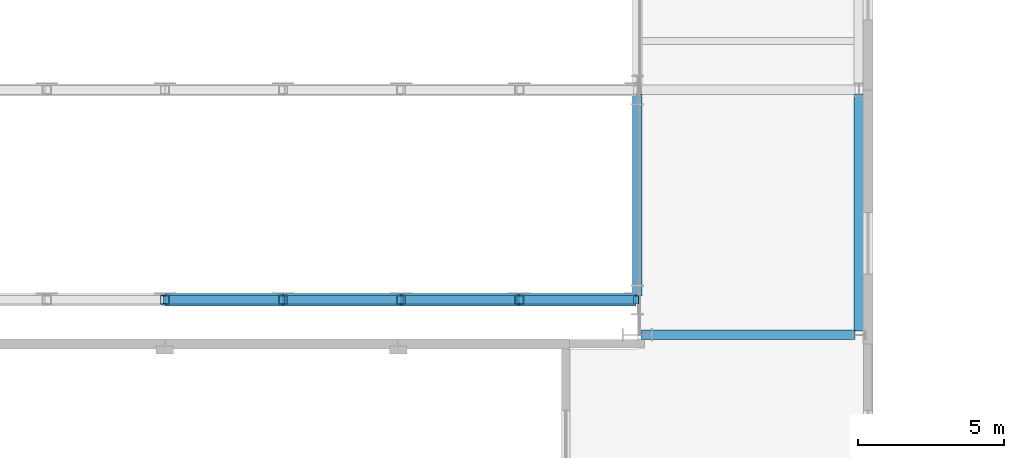
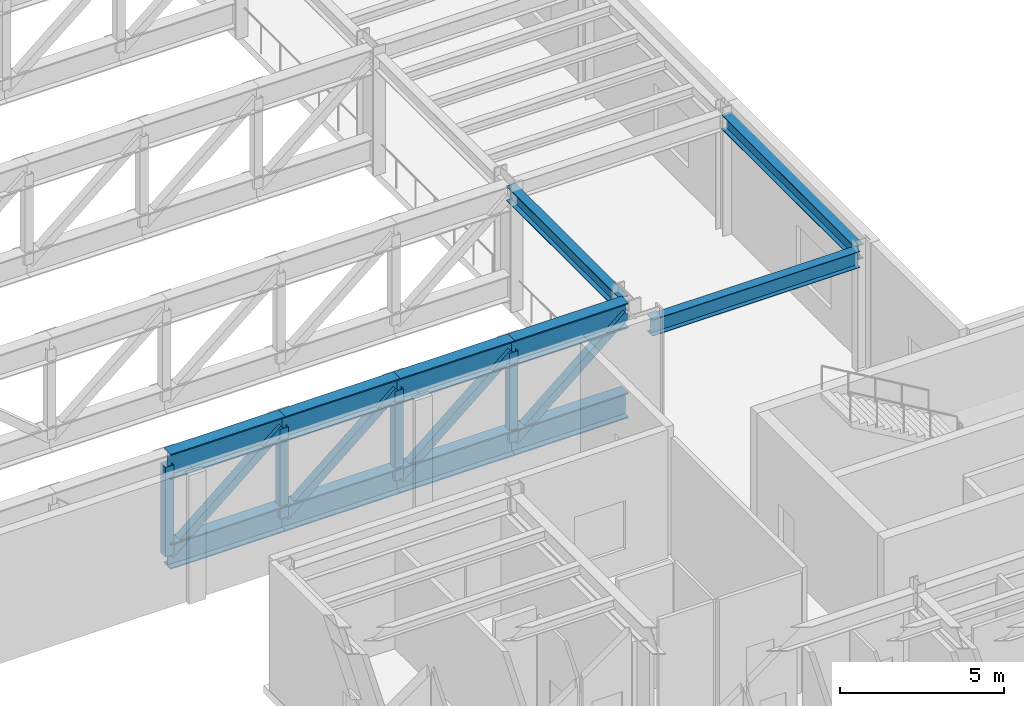
# One storey, part 18 of 91: 11 beams, 8 members.
"""IFC4 building model written with IfcOpenShell, lengths in metres."""

import ifcopenshell
import ifcopenshell.guid

model = None  # the IFC model being written
_history = None  # IfcOwnerHistory: only IFC2X3 demands one
_inside = {}  # id of a spatial element -> (the spatial element, [elements in it])
_under = {}  # id of a project, library or spatial element -> (it, [spatial elements below it])
_declared = {}  # id of a project -> (the project, [libraries it declares])
_typed = {}  # id of a type object -> (the type object, [elements of that type])
_made_of = {}  # id of a material, layer set ... -> (it, [elements and type objects made of it])


def new_model(schema):
    """Start an empty IFC model of exactly this schema.

    Asked for "IFC4X3", IfcOpenShell would pick the latest addendum, in which some entities
    have other attributes; the version numbers below select the first issue.
    IFC2X3 requires an IfcOwnerHistory on every rooted entity: one is made here for all.
    """
    global model, _history
    if schema == "IFC4X3":
        model = ifcopenshell.file(schema_version=(4, 3, 0, 0))
    else:
        model = ifcopenshell.file(schema=schema)
    _inside.clear()
    _under.clear()
    _declared.clear()
    _typed.clear()
    _made_of.clear()
    _history = None
    if model.schema == "IFC2X3":
        org = make("IfcOrganization", Name="unknown")
        user = make(
            "IfcPersonAndOrganization",
            ThePerson=make("IfcPerson", FamilyName="unknown"),
            TheOrganization=org,
        )
        app = make(
            "IfcApplication",
            ApplicationDeveloper=org,
            Version="unknown",
            ApplicationFullName="unknown",
            ApplicationIdentifier="unknown",
        )
        _history = make(
            "IfcOwnerHistory",
            OwningUser=user,
            OwningApplication=app,
            ChangeAction="ADDED",
            CreationDate=0,
        )
    return model


def make(cls, **values):
    """One entity of the class cls with the attributes given. An attribute that is None is left unset."""
    return model.create_entity(
        cls, **{name: value for name, value in values.items() if value is not None}
    )


def rooted(cls, **values):
    """An entity with a GlobalId (a new one), such as an element, a storey or a relation."""
    return make(cls, GlobalId=ifcopenshell.guid.new(), OwnerHistory=_history, **values)


def si_unit(unit_type, name, prefix=None):
    """IfcSIUnit, for example si_unit("LENGTHUNIT", "METRE", prefix="MILLI")."""
    return make("IfcSIUnit", UnitType=unit_type, Prefix=prefix, Name=name)


def assignment(units):
    """IfcUnitAssignment: the units of a project."""
    return None if units is None else make("IfcUnitAssignment", Units=units)


def point(xyz):
    """IfcCartesianPoint."""
    return None if xyz is None else make("IfcCartesianPoint", Coordinates=xyz)


def direction(xyz):
    """IfcDirection."""
    return None if xyz is None else make("IfcDirection", DirectionRatios=xyz)


def frame(location, z_axis=None, x_axis=None):
    """IfcAxis2Placement3D, a coordinate frame: its origin and axes. An axis left out is left unset."""
    return make(
        "IfcAxis2Placement3D",
        Location=point(location),
        Axis=direction(z_axis),
        RefDirection=direction(x_axis),
    )


def frame_2d(location, x_axis=None):
    """IfcAxis2Placement2D, a coordinate frame in the plane: its origin and x axis."""
    return make(
        "IfcAxis2Placement2D", Location=point(location), RefDirection=direction(x_axis)
    )


def origin():
    """The frame at (0, 0, 0) with its axes left unset."""
    return frame((0.0, 0.0, 0.0))


def origin_2d():
    """The frame at (0, 0) in the plane with its x axis left unset."""
    return frame_2d((0.0, 0.0))


def place(relative_to, where):
    """IfcLocalPlacement: puts the frame where relative to a parent placement (None: the world)."""
    return make(
        "IfcLocalPlacement", PlacementRelTo=relative_to, RelativePlacement=where
    )


def context(
    kind, dimensions, precision=None, world=None, true_north=None, identifier=None
):
    """IfcGeometricRepresentationContext, for example the 3D "Model" context."""
    return make(
        "IfcGeometricRepresentationContext",
        ContextIdentifier=identifier,
        ContextType=kind,
        CoordinateSpaceDimension=dimensions,
        Precision=precision,
        WorldCoordinateSystem=world,
        TrueNorth=true_north,
    )


def subcontext(parent, identifier, kind, view, scale=None):
    """IfcGeometricRepresentationSubContext, for example "Body" below "Model"."""
    return make(
        "IfcGeometricRepresentationSubContext",
        ContextIdentifier=identifier,
        ContextType=kind,
        ParentContext=parent,
        TargetScale=scale,
        TargetView=view,
    )


def project(units=None, contexts=None):
    """IfcProject with its units and contexts."""
    return rooted(
        "IfcProject",
        Name="project",
        RepresentationContexts=contexts,
        UnitsInContext=assignment(units),
    )


def spatial(cls, under=None, at=None, **own):
    """A site, building, storey or space (cls), placed at a placement, below another one or the project."""
    s = rooted(cls, ObjectPlacement=at, **own)
    if under is not None:
        _under.setdefault(under.id(), (under, []))[1].append(s)
    return s


def profile(cls, at=None, kind="AREA", **sizes):
    """A parametric profile (cls). Its sizes go by their IFC names, for example OverallWidth=200.0."""
    return make(cls, ProfileType=kind, Position=at, **sizes)


def hollow_rectangle(**sizes):
    """IfcRectangleHollowProfileDef."""
    return profile("IfcRectangleHollowProfileDef", **sizes)


def i_section(**sizes):
    """IfcIShapeProfileDef."""
    return profile("IfcIShapeProfileDef", **sizes)


def extrude(swept, where, along, depth):
    """IfcExtrudedAreaSolid: the profile swept, set in the frame where, extruded along a direction by depth."""
    return make(
        "IfcExtrudedAreaSolid",
        SweptArea=swept,
        Position=where,
        ExtrudedDirection=direction(along),
        Depth=depth,
    )


def shape(context_of_items, identifier, shape_type, items):
    """IfcShapeRepresentation: the items that make up one representation, for example the "Body"."""
    return make(
        "IfcShapeRepresentation",
        ContextOfItems=context_of_items,
        RepresentationIdentifier=identifier,
        RepresentationType=shape_type,
        Items=items,
    )


def material(Name=None, Category=None):
    """IfcMaterial."""
    return make("IfcMaterial", Name=Name, Category=Category)


def material_profile(
    of_material, cross_section, Name=None, Category=None, Priority=None
):
    """IfcMaterialProfile: a cross section and its material."""
    return make(
        "IfcMaterialProfile",
        Name=Name,
        Material=of_material,
        Profile=cross_section,
        Priority=Priority,
        Category=Category,
    )


def profile_set(profiles, Name=None, composite=None):
    """IfcMaterialProfileSet."""
    return make(
        "IfcMaterialProfileSet",
        Name=Name,
        MaterialProfiles=profiles,
        CompositeProfile=composite,
    )


def made_of(thing, what):
    """Note that an element or type object is made of a material, layer set ...; save() writes the relation."""
    if what is not None:
        _made_of.setdefault(what.id(), (what, []))[1].append(thing)
    return thing


def type_object(cls, material=None, **own):
    """A type object (cls), such as IfcWallType, which elements share."""
    return made_of(rooted(cls, **own), material)


def element(
    cls,
    number,
    at=None,
    inside=None,
    cuts=None,
    type_object=None,
    material=None,
    context=None,
    identifier="Body",
    shape_type=None,
    held_by="IfcProductDefinitionShape",
    body=None,
    shapes=None,
    **own,
):
    """One element of the class cls, such as IfcWall. Its Tag is "e" and its number.

    at: its placement. inside: the storey or other place that contains it. cuts: it is an
    opening in that element (IfcRelVoidsElement). A single representation is given by context,
    identifier, shape_type and body (its items); several are given by shapes. held_by: the class
    of the entity that holds the representations. save() writes the other relations.
    """
    e = rooted(cls, Tag="e%d" % number, ObjectPlacement=at, **own)
    if body is not None:
        shapes = [shape(context, identifier, shape_type, body)]
    if shapes is not None:
        e.Representation = make(held_by, Representations=shapes)
    if inside is not None:
        _inside.setdefault(inside.id(), (inside, []))[1].append(e)
    if cuts is not None:
        rooted(
            "IfcRelVoidsElement", RelatingBuildingElement=cuts, RelatedOpeningElement=e
        )
    if type_object is not None:
        _typed.setdefault(type_object.id(), (type_object, []))[1].append(e)
    return made_of(e, material)


def aggregate(whole, parts):
    """IfcRelAggregates: a whole, such as a stair, and the parts it consists of."""
    return rooted("IfcRelAggregates", RelatingObject=whole, RelatedObjects=parts)


def save(model, path):
    """Write the relations noted so far, then the file.

    IfcRelAggregates (storeys below a building ...), IfcRelContainedInSpatialStructure (elements
    in a storey), IfcRelDefinesByType, IfcRelAssociatesMaterial and IfcRelDeclares: one each for
    every whole, place, type object, material and project.
    """
    for whole, parts in _under.values():
        aggregate(whole, parts)
    for where, things in _inside.values():
        rooted(
            "IfcRelContainedInSpatialStructure",
            RelatedElements=things,
            RelatingStructure=where,
        )
    for kind, things in _typed.values():
        rooted("IfcRelDefinesByType", RelatedObjects=things, RelatingType=kind)
    for what, things in _made_of.values():
        rooted("IfcRelAssociatesMaterial", RelatedObjects=things, RelatingMaterial=what)
    for by, libraries in _declared.values():
        rooted("IfcRelDeclares", RelatingContext=by, RelatedDefinitions=libraries)
    model.write(path)


model = new_model("IFC4")

# Units and contexts
model_context = context("Model", 3, precision=1e-05, world=origin(), true_north=direction((0.0, 1.0)))
body_context = subcontext(model_context, "Body", "Model", "MODEL_VIEW")
ifc_project = project(units=[si_unit("LENGTHUNIT", "METRE"), si_unit("AREAUNIT", "SQUARE_METRE"), si_unit("VOLUMEUNIT", "CUBIC_METRE"), si_unit("PLANEANGLEUNIT", "RADIAN"), si_unit("MASSUNIT", "GRAM", prefix="KILO")], contexts=[model_context])

# Site, building, storey
site_placement = place(None, origin())
site = spatial("IfcSite", under=ifc_project, at=site_placement, CompositionType="ELEMENT")
building_placement = place(site_placement, origin())
building = spatial("IfcBuilding", under=site, at=building_placement, Name="Sollismere Congress Hotel", CompositionType="ELEMENT")
storey_placement = place(building_placement, frame((0.0, 0.0, 10.800048828125)))
storey = spatial("IfcBuildingStorey", under=building, at=storey_placement, Name="L02", CompositionType="ELEMENT", Elevation=10.800048828125)

# Beams
ifc_material_1 = material(Name="Steel ASTM A992 Grade 50", Category="steel")
ifc_material_profile_1 = material_profile(ifc_material_1, i_section(OverallWidth=0.31494140625, OverallDepth=0.551025390625, WebThickness=0.01513671875, FlangeThickness=0.0244140625, at=origin_2d()), Name="W21X122")
ifc_profile_set_1 = profile_set([ifc_material_profile_1], Name="Steel ASTM A992 Grade 50")
beam_type_1 = type_object("IfcBeamType", Name="BM-G21H", PredefinedType="BEAM", material=ifc_profile_set_1)
beam_1_placement = place(storey_placement, frame((50.39990234375, 26.139892578125, 4.224365234375), z_axis=(0.0, 1.0, 0.0), x_axis=(-1.0, 0.0, 0.0)))
element("IfcBeam", 1, at=beam_1_placement, inside=storey, type_object=beam_type_1, Name="Beam BM-L02-2072", PredefinedType="BEAM", context=body_context, shape_type="SweptSolid", body=[
    extrude(i_section(OverallWidth=0.31494140625, OverallDepth=0.551025390625, WebThickness=0.01513671875, FlangeThickness=0.0244140625, at=origin_2d()), origin(), (0.0, 0.0, 1.0), 6.920166015625),
])
beam_2_placement = place(storey_placement, frame((58.0, 24.93994140625, 4.224365234375), z_axis=(0.0, 1.0, 0.0), x_axis=(-1.0, 0.0, 0.0)))
element("IfcBeam", 2, at=beam_2_placement, inside=storey, type_object=beam_type_1, Name="Beam BM-L02-2079", PredefinedType="BEAM", context=body_context, shape_type="SweptSolid", body=[
    extrude(i_section(OverallWidth=0.31494140625, OverallDepth=0.551025390625, WebThickness=0.01513671875, FlangeThickness=0.0244140625, at=origin_2d()), origin(), (0.0, 0.0, 1.0), 8.1201171875),
])
ifc_material_profile_2 = material_profile(ifc_material_1, i_section(OverallWidth=0.324951171875, OverallDepth=0.612060546875, WebThickness=0.0126953125, FlangeThickness=0.01904296875, at=origin_2d()), Name="W24X104")
ifc_profile_set_2 = profile_set([ifc_material_profile_2], Name="Steel ASTM A992 Grade 50")
beam_type_2 = type_object("IfcBeamType", Name="BM-G24", PredefinedType="BEAM", material=ifc_profile_set_2)
beam_3_placement = place(storey_placement, frame((50.5400390625, 24.800048828125, 4.19384765625), z_axis=(1.0, 0.0, 0.0), x_axis=(0.0, 1.0, 0.0)))
element("IfcBeam", 3, at=beam_3_placement, inside=storey, type_object=beam_type_2, Name="Beam BM-L02-2006", PredefinedType="BEAM", context=body_context, shape_type="SweptSolid", body=[
    extrude(i_section(OverallWidth=0.324951171875, OverallDepth=0.612060546875, WebThickness=0.0126953125, FlangeThickness=0.01904296875, at=origin_2d()), origin(), (0.0, 0.0, 1.0), 7.320068359375),
])
ifc_material_profile_3 = material_profile(ifc_material_1, i_section(OverallWidth=0.424072265625, OverallDepth=0.93994140625, WebThickness=0.02392578125, FlangeThickness=0.042724609375, at=origin_2d()), Name="W36X302")
ifc_profile_set_3 = profile_set([ifc_material_profile_3], Name="Steel ASTM A992 Grade 50")
beam_type_3 = type_object("IfcBeamType", Name="BM-TC36", PredefinedType="BEAM", material=ifc_profile_set_3)
for number, where, z_axis, x_axis, name in (
    (4, (34.199951171875, 26.0, 4.030029296875), (1.0, 0.0, 0.0), (0.0, 1.0, 0.0), "Transfer truss chord BM-L02-4056"),
    (5, (34.199951171875, 26.0, 0.679931640625), (1.0, 0.0, 0.0), (0.0, 1.0, 0.0), "Transfer truss chord BM-L02-4057"),
    (6, (38.25, 26.0, 4.030029296875), (1.0, 0.0, 0.0), (0.0, 1.0, 0.0), "Transfer truss chord BM-L02-4058"),
    (7, (38.25, 26.0, 0.679931640625), (1.0, 0.0, 0.0), (0.0, 1.0, 0.0), "Transfer truss chord BM-L02-4059"),
    (8, (42.300048828125, 26.0, 4.030029296875), (1.0, 0.0, 0.0), (0.0, 1.0, 0.0), "Transfer truss chord BM-L02-4060"),
    (9, (42.300048828125, 26.0, 0.679931640625), (1.0, 0.0, 0.0), (0.0, 1.0, 0.0), "Transfer truss chord BM-L02-4061"),
):
    element("IfcBeam", number, at=place(storey_placement, frame(where, z_axis=z_axis, x_axis=x_axis)), inside=storey, type_object=beam_type_3, Name=name, PredefinedType="BEAM", context=body_context, shape_type="SweptSolid", body=[
        extrude(i_section(OverallWidth=0.424072265625, OverallDepth=0.93994140625, WebThickness=0.02392578125, FlangeThickness=0.042724609375, at=origin_2d()), origin(), (0.0, 0.0, 1.0), 4.050048828125),
    ])
for number, where, z_axis, x_axis, name in (
    (10, (46.35009765625, 26.0, 4.030029296875), (1.0, 0.0, 0.0), (0.0, 1.0, 0.0), "Transfer truss chord BM-L02-4062"),
    (11, (46.35009765625, 26.0, 0.679931640625), (1.0, 0.0, 0.0), (0.0, 1.0, 0.0), "Transfer truss chord BM-L02-4063"),
):
    element("IfcBeam", number, at=place(storey_placement, frame(where, z_axis=z_axis, x_axis=x_axis)), inside=storey, type_object=beam_type_3, Name=name, PredefinedType="BEAM", context=body_context, shape_type="SweptSolid", body=[
        extrude(i_section(OverallWidth=0.424072265625, OverallDepth=0.93994140625, WebThickness=0.02392578125, FlangeThickness=0.042724609375, at=origin_2d()), origin(), (0.0, 0.0, 1.0), 4.010009765625),
    ])

# Members
ifc_material_2 = material(Name="Steel ASTM A500 Grade C", Category="steel")
ifc_material_profile_4 = material_profile(ifc_material_2, hollow_rectangle(XDim=0.300048828125, YDim=0.300048828125, WallThickness=0.011962890625, at=origin_2d()), Name="HSS300X300X12")
ifc_profile_set_4 = profile_set([ifc_material_profile_4], Name="Steel ASTM A500 Grade C")
member_type_1 = type_object("IfcMemberType", Name="MB-BR300", PredefinedType="BRACE", material=ifc_profile_set_4)
for number, where, z_axis, x_axis, name in (
    (12, (34.22998046875, 26.0, 0.679931640625), (0.765846088126, 0.0, 0.643023925917), (0.0, 1.0, 0.0), "MBT-15 diagonal brace"),
    (13, (38.280029296875, 26.0, 0.679931640625), (0.765846088126, 0.0, 0.643023925917), (0.0, 1.0, 0.0), "MBT-16 diagonal brace"),
    (14, (42.330078125, 26.0, 0.679931640625), (0.765846088126, 0.0, 0.643023925917), (0.0, 1.0, 0.0), "MBT-17 diagonal brace"),
):
    element("IfcMember", number, at=place(storey_placement, frame(where, z_axis=z_axis, x_axis=x_axis)), inside=storey, type_object=member_type_1, Name=name, PredefinedType="BRACE", context=body_context, shape_type="SweptSolid", body=[
        extrude(hollow_rectangle(XDim=0.300048828125, YDim=0.300048828125, WallThickness=0.011962890625, at=origin_2d()), origin(), (0.0, 0.0, 1.0), 5.2099609375),
    ])
member_placement = place(storey_placement, frame((46.3798828125, 26.0, 0.679931640625), z_axis=(0.765069376862, 0.0, 0.6439478617), x_axis=(0.0, 1.0, 0.0)))
element("IfcMember", 15, at=member_placement, inside=storey, type_object=member_type_1, Name="MBT-18 diagonal brace", PredefinedType="BRACE", context=body_context, shape_type="SweptSolid", body=[
    extrude(hollow_rectangle(XDim=0.300048828125, YDim=0.300048828125, WallThickness=0.011962890625, at=origin_2d()), origin(), (0.0, 0.0, 1.0), 5.202392578125),
])
ifc_material_profile_5 = material_profile(ifc_material_2, hollow_rectangle(XDim=0.300048828125, YDim=0.300048828125, WallThickness=0.011962890625, at=origin_2d()), Name="HSS300X300X12")
ifc_profile_set_5 = profile_set([ifc_material_profile_5], Name="Steel ASTM A500 Grade C")
member_type_2 = type_object("IfcMemberType", Name="MB-ST300", PredefinedType="STRUT", material=ifc_profile_set_5)
for number, where, z_axis, x_axis, name in (
    (16, (34.199951171875, 26.0, 0.679931640625), (0.0, 0.0, 1.0), (1.0, 0.0, 0.0), "MVT-14 transfer truss strut"),
    (17, (38.25, 26.0, 0.679931640625), (0.0, 0.0, 1.0), (1.0, 0.0, 0.0), "MVT-15 transfer truss strut"),
    (18, (42.300048828125, 26.0, 0.679931640625), (0.0, 0.0, 1.0), (1.0, 0.0, 0.0), "MVT-16 transfer truss strut"),
    (19, (46.35009765625, 26.0, 0.679931640625), (0.0, 0.0, 1.0), (1.0, 0.0, 0.0), "MVT-17 transfer truss strut"),
):
    element("IfcMember", number, at=place(storey_placement, frame(where, z_axis=z_axis, x_axis=x_axis)), inside=storey, type_object=member_type_2, Name=name, PredefinedType="STRUT", context=body_context, shape_type="SweptSolid", body=[
        extrude(hollow_rectangle(XDim=0.300048828125, YDim=0.300048828125, WallThickness=0.011962890625, at=origin_2d()), origin(), (0.0, 0.0, 1.0), 3.35009765625),
    ])

save(model, "model.ifc")
